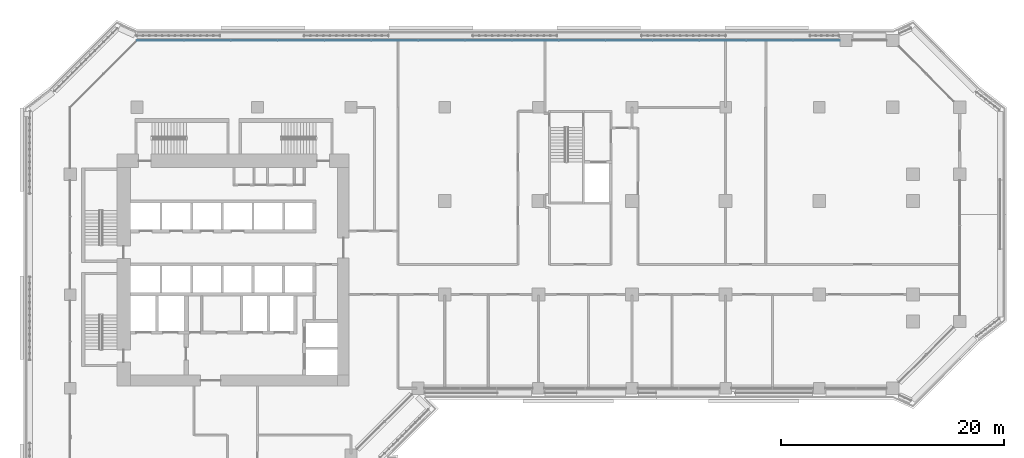
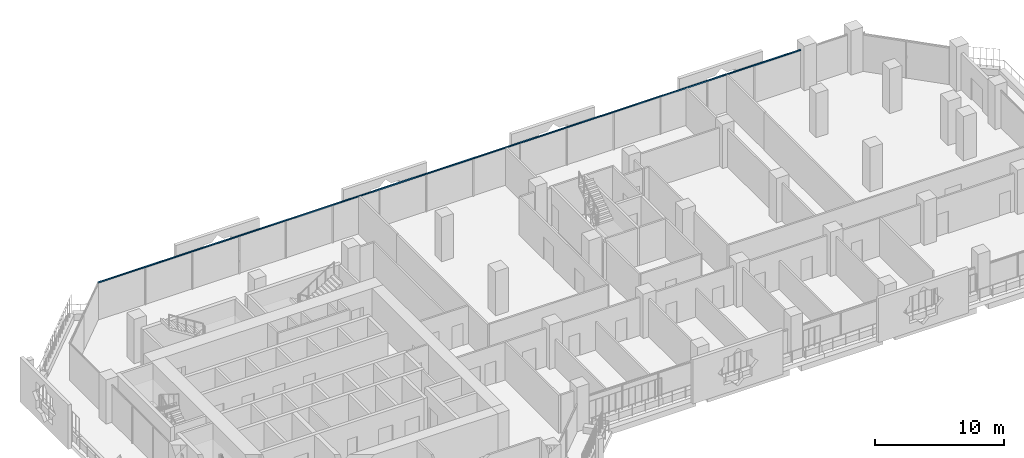
# One storey, part 10 of 29: 1 member, 1 element without a shape of its own.
"""IFC4 building model written with IfcOpenShell, lengths in metres."""

import ifcopenshell
import ifcopenshell.guid

model = None  # the IFC model being written
_history = None  # IfcOwnerHistory: only IFC2X3 demands one
_inside = {}  # id of a spatial element -> (the spatial element, [elements in it])
_under = {}  # id of a project, library or spatial element -> (it, [spatial elements below it])
_declared = {}  # id of a project -> (the project, [libraries it declares])
_typed = {}  # id of a type object -> (the type object, [elements of that type])
_made_of = {}  # id of a material, layer set ... -> (it, [elements and type objects made of it])


def new_model(schema):
    """Start an empty IFC model of exactly this schema.

    Asked for "IFC4X3", IfcOpenShell would pick the latest addendum, in which some entities
    have other attributes; the version numbers below select the first issue.
    IFC2X3 requires an IfcOwnerHistory on every rooted entity: one is made here for all.
    """
    global model, _history
    if schema == "IFC4X3":
        model = ifcopenshell.file(schema_version=(4, 3, 0, 0))
    else:
        model = ifcopenshell.file(schema=schema)
    _inside.clear()
    _under.clear()
    _declared.clear()
    _typed.clear()
    _made_of.clear()
    _history = None
    if model.schema == "IFC2X3":
        org = make("IfcOrganization", Name="unknown")
        user = make(
            "IfcPersonAndOrganization",
            ThePerson=make("IfcPerson", FamilyName="unknown"),
            TheOrganization=org,
        )
        app = make(
            "IfcApplication",
            ApplicationDeveloper=org,
            Version="unknown",
            ApplicationFullName="unknown",
            ApplicationIdentifier="unknown",
        )
        _history = make(
            "IfcOwnerHistory",
            OwningUser=user,
            OwningApplication=app,
            ChangeAction="ADDED",
            CreationDate=0,
        )
    return model


def make(cls, **values):
    """One entity of the class cls with the attributes given. An attribute that is None is left unset."""
    return model.create_entity(
        cls, **{name: value for name, value in values.items() if value is not None}
    )


def rooted(cls, **values):
    """An entity with a GlobalId (a new one), such as an element, a storey or a relation."""
    return make(cls, GlobalId=ifcopenshell.guid.new(), OwnerHistory=_history, **values)


def si_unit(unit_type, name, prefix=None):
    """IfcSIUnit, for example si_unit("LENGTHUNIT", "METRE", prefix="MILLI")."""
    return make("IfcSIUnit", UnitType=unit_type, Prefix=prefix, Name=name)


def assignment(units):
    """IfcUnitAssignment: the units of a project."""
    return None if units is None else make("IfcUnitAssignment", Units=units)


def point(xyz):
    """IfcCartesianPoint."""
    return None if xyz is None else make("IfcCartesianPoint", Coordinates=xyz)


def direction(xyz):
    """IfcDirection."""
    return None if xyz is None else make("IfcDirection", DirectionRatios=xyz)


def frame(location, z_axis=None, x_axis=None):
    """IfcAxis2Placement3D, a coordinate frame: its origin and axes. An axis left out is left unset."""
    return make(
        "IfcAxis2Placement3D",
        Location=point(location),
        Axis=direction(z_axis),
        RefDirection=direction(x_axis),
    )


def frame_2d(location, x_axis=None):
    """IfcAxis2Placement2D, a coordinate frame in the plane: its origin and x axis."""
    return make(
        "IfcAxis2Placement2D", Location=point(location), RefDirection=direction(x_axis)
    )


def origin():
    """The frame at (0, 0, 0) with its axes left unset."""
    return frame((0.0, 0.0, 0.0))


def origin_2d():
    """The frame at (0, 0) in the plane with its x axis left unset."""
    return frame_2d((0.0, 0.0))


def place(relative_to, where):
    """IfcLocalPlacement: puts the frame where relative to a parent placement (None: the world)."""
    return make(
        "IfcLocalPlacement", PlacementRelTo=relative_to, RelativePlacement=where
    )


def context(
    kind, dimensions, precision=None, world=None, true_north=None, identifier=None
):
    """IfcGeometricRepresentationContext, for example the 3D "Model" context."""
    return make(
        "IfcGeometricRepresentationContext",
        ContextIdentifier=identifier,
        ContextType=kind,
        CoordinateSpaceDimension=dimensions,
        Precision=precision,
        WorldCoordinateSystem=world,
        TrueNorth=true_north,
    )


def subcontext(parent, identifier, kind, view, scale=None):
    """IfcGeometricRepresentationSubContext, for example "Body" below "Model"."""
    return make(
        "IfcGeometricRepresentationSubContext",
        ContextIdentifier=identifier,
        ContextType=kind,
        ParentContext=parent,
        TargetScale=scale,
        TargetView=view,
    )


def project(units=None, contexts=None):
    """IfcProject with its units and contexts."""
    return rooted(
        "IfcProject",
        Name="project",
        RepresentationContexts=contexts,
        UnitsInContext=assignment(units),
    )


def spatial(cls, under=None, at=None, **own):
    """A site, building, storey or space (cls), placed at a placement, below another one or the project."""
    s = rooted(cls, ObjectPlacement=at, **own)
    if under is not None:
        _under.setdefault(under.id(), (under, []))[1].append(s)
    return s


def profile(cls, at=None, kind="AREA", **sizes):
    """A parametric profile (cls). Its sizes go by their IFC names, for example OverallWidth=200.0."""
    return make(cls, ProfileType=kind, Position=at, **sizes)


def rectangle(**sizes):
    """IfcRectangleProfileDef."""
    return profile("IfcRectangleProfileDef", **sizes)


def extrude(swept, where, along, depth):
    """IfcExtrudedAreaSolid: the profile swept, set in the frame where, extruded along a direction by depth."""
    return make(
        "IfcExtrudedAreaSolid",
        SweptArea=swept,
        Position=where,
        ExtrudedDirection=direction(along),
        Depth=depth,
    )


def shape(context_of_items, identifier, shape_type, items):
    """IfcShapeRepresentation: the items that make up one representation, for example the "Body"."""
    return make(
        "IfcShapeRepresentation",
        ContextOfItems=context_of_items,
        RepresentationIdentifier=identifier,
        RepresentationType=shape_type,
        Items=items,
    )


def material(Name=None, Category=None):
    """IfcMaterial."""
    return make("IfcMaterial", Name=Name, Category=Category)


def layer(
    of_material, thickness, ventilated=None, Name=None, Category=None, Priority=None
):
    """IfcMaterialLayer: one layer of a wall or slab, of a material (None: an air gap)."""
    return make(
        "IfcMaterialLayer",
        Material=of_material,
        LayerThickness=thickness,
        IsVentilated=ventilated,
        Name=Name,
        Category=Category,
        Priority=Priority,
    )


def layer_set(layers, Name=None):
    """IfcMaterialLayerSet."""
    return make("IfcMaterialLayerSet", MaterialLayers=layers, LayerSetName=Name)


def material_profile(
    of_material, cross_section, Name=None, Category=None, Priority=None
):
    """IfcMaterialProfile: a cross section and its material."""
    return make(
        "IfcMaterialProfile",
        Name=Name,
        Material=of_material,
        Profile=cross_section,
        Priority=Priority,
        Category=Category,
    )


def profile_set(profiles, Name=None, composite=None):
    """IfcMaterialProfileSet."""
    return make(
        "IfcMaterialProfileSet",
        Name=Name,
        MaterialProfiles=profiles,
        CompositeProfile=composite,
    )


def made_of(thing, what):
    """Note that an element or type object is made of a material, layer set ...; save() writes the relation."""
    if what is not None:
        _made_of.setdefault(what.id(), (what, []))[1].append(thing)
    return thing


def type_object(cls, material=None, **own):
    """A type object (cls), such as IfcWallType, which elements share."""
    return made_of(rooted(cls, **own), material)


def element(
    cls,
    number,
    at=None,
    inside=None,
    cuts=None,
    type_object=None,
    material=None,
    context=None,
    identifier="Body",
    shape_type=None,
    held_by="IfcProductDefinitionShape",
    body=None,
    shapes=None,
    **own,
):
    """One element of the class cls, such as IfcWall. Its Tag is "e" and its number.

    at: its placement. inside: the storey or other place that contains it. cuts: it is an
    opening in that element (IfcRelVoidsElement). A single representation is given by context,
    identifier, shape_type and body (its items); several are given by shapes. held_by: the class
    of the entity that holds the representations. save() writes the other relations.
    """
    e = rooted(cls, Tag="e%d" % number, ObjectPlacement=at, **own)
    if body is not None:
        shapes = [shape(context, identifier, shape_type, body)]
    if shapes is not None:
        e.Representation = make(held_by, Representations=shapes)
    if inside is not None:
        _inside.setdefault(inside.id(), (inside, []))[1].append(e)
    if cuts is not None:
        rooted(
            "IfcRelVoidsElement", RelatingBuildingElement=cuts, RelatedOpeningElement=e
        )
    if type_object is not None:
        _typed.setdefault(type_object.id(), (type_object, []))[1].append(e)
    return made_of(e, material)


def aggregate(whole, parts):
    """IfcRelAggregates: a whole, such as a stair, and the parts it consists of."""
    return rooted("IfcRelAggregates", RelatingObject=whole, RelatedObjects=parts)


def save(model, path):
    """Write the relations noted so far, then the file.

    IfcRelAggregates (storeys below a building ...), IfcRelContainedInSpatialStructure (elements
    in a storey), IfcRelDefinesByType, IfcRelAssociatesMaterial and IfcRelDeclares: one each for
    every whole, place, type object, material and project.
    """
    for whole, parts in _under.values():
        aggregate(whole, parts)
    for where, things in _inside.values():
        rooted(
            "IfcRelContainedInSpatialStructure",
            RelatedElements=things,
            RelatingStructure=where,
        )
    for kind, things in _typed.values():
        rooted("IfcRelDefinesByType", RelatedObjects=things, RelatingType=kind)
    for what, things in _made_of.values():
        rooted("IfcRelAssociatesMaterial", RelatedObjects=things, RelatingMaterial=what)
    for by, libraries in _declared.values():
        rooted("IfcRelDeclares", RelatingContext=by, RelatedDefinitions=libraries)
    model.write(path)


model = new_model("IFC4")

# Units and contexts
model_context = context("Model", 3, precision=1e-05, world=origin(), true_north=direction((0.0, 1.0)))
body_context = subcontext(model_context, "Body", "Model", "MODEL_VIEW")
ifc_project = project(units=[si_unit("LENGTHUNIT", "METRE"), si_unit("AREAUNIT", "SQUARE_METRE"), si_unit("VOLUMEUNIT", "CUBIC_METRE"), si_unit("PLANEANGLEUNIT", "RADIAN"), si_unit("MASSUNIT", "GRAM", prefix="KILO")], contexts=[model_context])

# Site, building, storey
site_placement = place(None, origin())
site = spatial("IfcSite", under=ifc_project, at=site_placement, CompositionType="ELEMENT")
building_placement = place(site_placement, origin())
building = spatial("IfcBuilding", under=site, at=building_placement, Name="Kawkab Arch Medical Tower", CompositionType="ELEMENT")
storey_placement = place(building_placement, frame((0.0, 0.0, 107.199951171875)))
storey = spatial("IfcBuildingStorey", under=building, at=storey_placement, Name="L24", CompositionType="ELEMENT", Elevation=107.199951171875)

# Curtain wall, member
ifc_material_1 = material(Name="Bronze anodised aluminium curtain wall frame", Category="aluminium")
ifc_layer = layer(ifc_material_1, 0.159912109375)
ifc_layer_set = layer_set([ifc_layer], Name="Bronze anodised aluminium curtain wall frame")
curtain_wall_type = type_object("IfcCurtainWallType", Name="CW1 ward curtain wall", PredefinedType="NOTDEFINED", material=ifc_layer_set)
curtain_wall_placement = place(storey_placement, origin())
curtain_wall = element("IfcCurtainWall", 1, at=curtain_wall_placement, inside=storey, type_object=curtain_wall_type, Name="CW1 Ward curtain wall R11", PredefinedType="NOTDEFINED")
ifc_material_2 = material(Name="Bronze anodised aluminium curtain wall frame", Category="aluminium")
ifc_material_profile = material_profile(ifc_material_2, rectangle(XDim=0.06005859375, YDim=0.1201171875, at=origin_2d()), Name="AL 60x120")
ifc_profile_set = profile_set([ifc_material_profile], Name="Bronze anodised aluminium curtain wall frame")
member_type = type_object("IfcMemberType", Name="CW1 transom 120 x 60", PredefinedType="USERDEFINED", material=ifc_profile_set)
member_placement = place(storey_placement, frame((69.050048828125, 6.0, 3.5400390625), z_axis=(-1.0, 0.0, 0.0), x_axis=(0.0, -1.0, 0.0)))
member = element("IfcMember", 2, at=member_placement, type_object=member_type, Name="CW1 transom 2", ObjectType="TRANSOM", PredefinedType="USERDEFINED", context=body_context, shape_type="SweptSolid", body=[
    extrude(rectangle(XDim=0.06005859375, YDim=0.1201171875, at=origin_2d()), origin(), (0.0, 0.0, 1.0), 63.050048828125),
])
aggregate(curtain_wall, [member])

save(model, "model.ifc")
